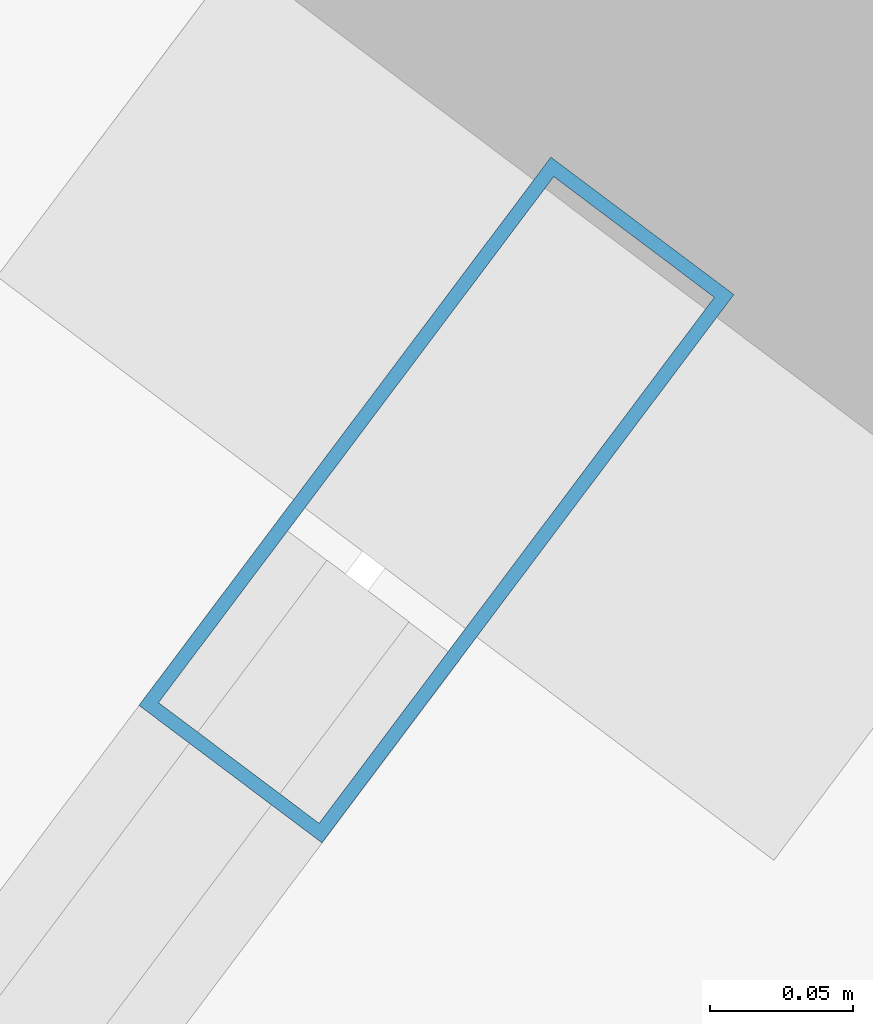
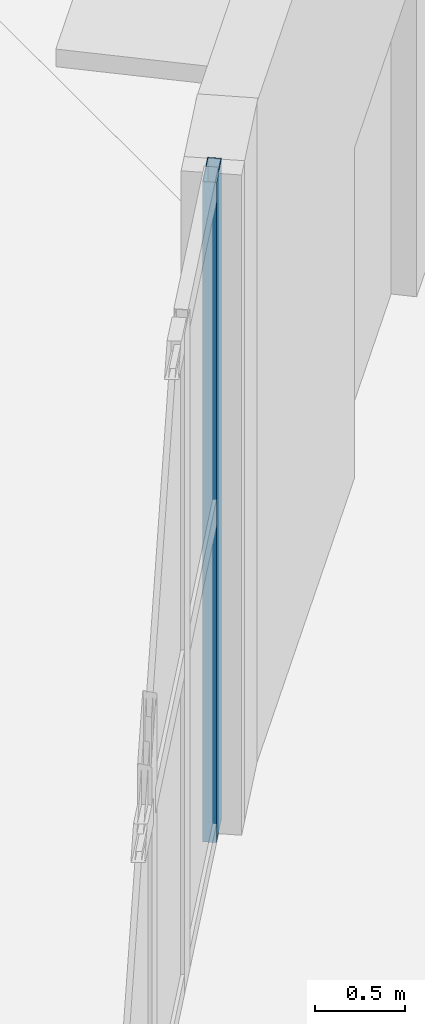
# One storey, part 14 of 32: 1 member, 1 element without a shape of its own.
"""IFC4 building model written with IfcOpenShell, lengths in metres."""

from ifc_helpers import new_model, si_unit, direction, frame, origin, origin_2d, place, context, subcontext, project, spatial, hollow_rectangle, extrude, material, layer, layer_set, material_profile, profile_set, type_object, element, aggregate, save


model = new_model("IFC4")

# Units and contexts
model_context = context("Model", 3, precision=1e-05, world=origin(), true_north=direction((0.0, 1.0)))
body_context = subcontext(model_context, "Body", "Model", "MODEL_VIEW")
ifc_project = project(units=[si_unit("LENGTHUNIT", "METRE"), si_unit("AREAUNIT", "SQUARE_METRE"), si_unit("VOLUMEUNIT", "CUBIC_METRE"), si_unit("PLANEANGLEUNIT", "RADIAN"), si_unit("MASSUNIT", "GRAM", prefix="KILO")], contexts=[model_context])

# Site, building, storey
site_placement = place(None, origin())
site = spatial("IfcSite", under=ifc_project, at=site_placement, CompositionType="ELEMENT")
building_placement = place(site_placement, origin())
building = spatial("IfcBuilding", under=site, at=building_placement, Name="Miruveldt Soraemaru", CompositionType="ELEMENT")
storey_placement = place(building_placement, origin())
storey = spatial("IfcBuildingStorey", under=building, at=storey_placement, Name="L01", CompositionType="ELEMENT", Elevation=0.0)

# Curtain wall, member
ifc_material = material(Name="Anodised aluminium EN AW-6063 T6", Category="aluminium")
ifc_layer = layer(ifc_material, 0.239990234375, Name="Anodised aluminium EN AW-6063 T6", Category="aluminium")
ifc_layer_set = layer_set([ifc_layer], Name="Anodised aluminium EN AW-6063 T6")
curtain_wall_type = type_object("IfcCurtainWallType", Name="CW-SYS-1", PredefinedType="USERDEFINED", material=ifc_layer_set)
curtain_wall_placement = place(storey_placement, origin())
curtain_wall = element("IfcCurtainWall", 1, at=curtain_wall_placement, inside=storey, type_object=curtain_wall_type, Name="L01 Curtain Wall Bay 9", ObjectType="STOREFRONT", PredefinedType="USERDEFINED")
ifc_material_profile = material_profile(ifc_material, hollow_rectangle(XDim=0.080078125, YDim=0.239990234375, WallThickness=0.0048828125, at=origin_2d()), Name="Anodised aluminium EN AW-6063 T6", Category="aluminium")
ifc_profile_set = profile_set([ifc_material_profile], Name="Anodised aluminium EN AW-6063 T6")
member_type = type_object("IfcMemberType", Name="CWM-1", PredefinedType="MULLION", material=ifc_profile_set)
member_placement = place(storey_placement, frame((28.08837890625, 65.607421875, 0.0), z_axis=(0.0, 0.0, 1.0), x_axis=(0.799455924799, -0.600724749202, 0.0)))
member = element("IfcMember", 2, at=member_placement, type_object=member_type, Name="CW-1 mullion 1", PredefinedType="MULLION", context=body_context, shape_type="SweptSolid", body=[
    extrude(hollow_rectangle(XDim=0.080078125, YDim=0.239990234375, WallThickness=0.0048828125, at=origin_2d()), origin(), (0.0, 0.0, 1.0), 4.5),
])
aggregate(curtain_wall, [member])

save(model, "model.ifc")
